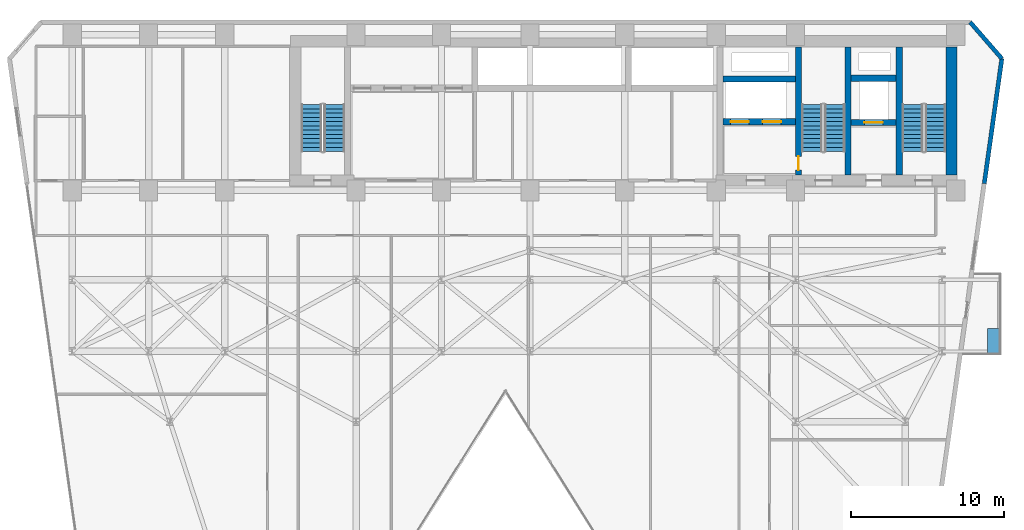
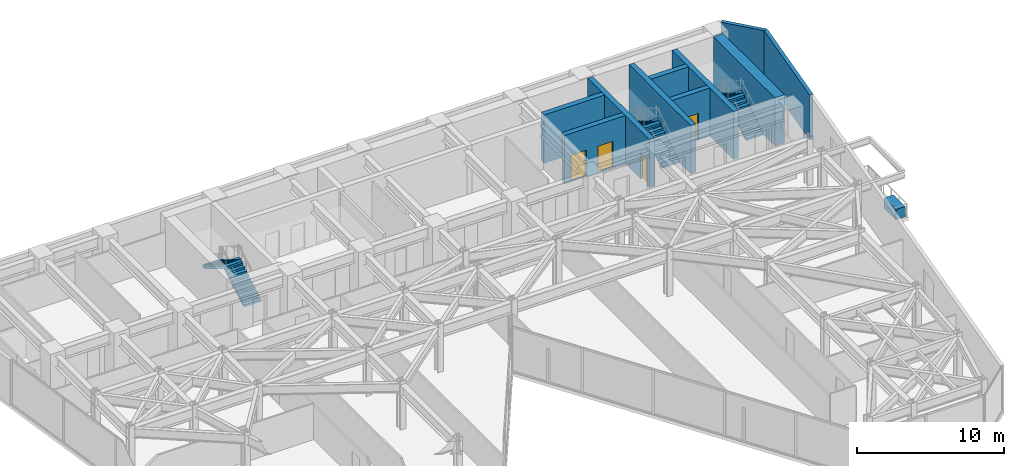
# One storey, part 21 of 24: 10 walls, 6 stair flights, 4 doors, 1 discrete accessory, 4 openings, 3 elements without a shape of their own.
"""IFC4 building model written with IfcOpenShell, lengths in metres."""

from ifc_helpers import new_model, si_unit, direction, frame, frame_2d, origin, origin_2d, place, context, subcontext, project, spatial, polyline, rectangle, outline, extrude, material, layer, layer_set, type_object, element, fill, aggregate, save


model = new_model("IFC4")

# Units and contexts
model_context = context("Model", 3, precision=1e-05, world=origin(), true_north=direction((0.0, 1.0)))
body_context = subcontext(model_context, "Body", "Model", "MODEL_VIEW")
ifc_project = project(units=[si_unit("LENGTHUNIT", "METRE"), si_unit("AREAUNIT", "SQUARE_METRE"), si_unit("VOLUMEUNIT", "CUBIC_METRE"), si_unit("PLANEANGLEUNIT", "RADIAN"), si_unit("MASSUNIT", "GRAM", prefix="KILO")], contexts=[model_context])

# Site, building, storey
site_placement = place(None, origin())
site = spatial("IfcSite", under=ifc_project, at=site_placement, CompositionType="ELEMENT")
building_placement = place(site_placement, origin())
building = spatial("IfcBuilding", under=site, at=building_placement, Name="Kravanh Interchange Tower", CompositionType="ELEMENT")
storey_placement = place(building_placement, frame((0.0, 0.0, 69.5)))
storey = spatial("IfcBuildingStorey", under=building, at=storey_placement, Name="L16", CompositionType="ELEMENT", Elevation=69.5)

# Walls
ifc_material_1 = material(Name="Concrete C80/95", Category="concrete")
ifc_layer_1 = layer(ifc_material_1, 0.39990234375)
ifc_layer_set_1 = layer_set([ifc_layer_1], Name="Core Shear Wall Concrete C80/95 400mm")
wall_type_1 = type_object("IfcWallType", Name="Core Shear Wall Concrete C80/95 400mm", PredefinedType="SHEAR", material=ifc_layer_set_1)
for number, where, z_axis, x_axis, name in (
    (1, (62.800048828125, 38.375, 0.0), (0.0, 0.0, 1.0), (0.0, 1.0, 0.0), "L16 Stair ST1 West Shear Wall"),
    (2, (59.449951171875, 38.375, 0.0), (0.0, 0.0, 1.0), (0.0, 1.0, 0.0), "L16 Stair ST2 East Shear Wall"),
):
    element("IfcWall", number, at=place(storey_placement, frame(where, z_axis=z_axis, x_axis=x_axis)), inside=storey, type_object=wall_type_1, Name=name, PredefinedType="SHEAR", context=body_context, shape_type="SweptSolid", body=[
        extrude(rectangle(XDim=8.375, YDim=0.39990234375, at=frame_2d((4.1875, 0.0))), origin(), (0.0, 0.0, 1.0), 4.0),
    ])

# Wall, opening, door
wall_1_placement = place(storey_placement, frame((56.199951171875, 38.375, 0.0), z_axis=(0.0, 0.0, 1.0), x_axis=(0.0, 1.0, 0.0)))
wall_1 = element("IfcWall", 3, at=wall_1_placement, inside=storey, type_object=wall_type_1, Name="L16 Stair ST2 West Shear Wall", PredefinedType="SHEAR", context=body_context, shape_type="SweptSolid", body=[
    extrude(rectangle(XDim=8.375, YDim=0.39990234375, at=frame_2d((4.1875, 0.0))), origin(), (0.0, 0.0, 1.0), 4.0),
])
opening_1_placement = place(wall_1_placement, frame((0.304931640625, 0.0, 0.0)))
opening_1 = element("IfcOpeningElement", 4, at=opening_1_placement, cuts=wall_1, Name="Opening D-STAIR-90", PredefinedType="OPENING", context=body_context, shape_type="SweptSolid", body=[
    extrude(rectangle(XDim=0.89990234375, YDim=2.14990234375, at=frame_2d((0.449951171875, 1.074951171875))), frame((0.0, 0.2099609375, 0.0), z_axis=(0.0, -1.0, 0.0), x_axis=(1.0, 0.0, 0.0)), (0.0, 0.0, 1.0), 0.419921875),
])
ifc_material_2 = material(Name="Structural Steel S355", Category="steel")
door_type_1 = type_object("IfcDoorType", Name="Fire-Rated Stair Lobby Door 900x2150", OperationType="NOTDEFINED", PredefinedType="DOOR", material=ifc_material_2)
door_1_placement = place(opening_1_placement, origin())
door_1 = element("IfcDoor", 5, at=door_1_placement, inside=storey, type_object=door_type_1, Name="L16 Firefighting Lobby to Stair ST2 Door", OperationType="SINGLE_SWING_LEFT", OverallHeight=2.14990234375, OverallWidth=0.89990234375, PredefinedType="DOOR", context=body_context, shape_type="SweptSolid", body=[
    extrude(rectangle(XDim=0.89990234375, YDim=2.14990234375, at=frame_2d((0.449951171875, 1.074951171875))), frame((0.0, 0.02490234375, 0.0), z_axis=(0.0, -1.0, 0.0), x_axis=(1.0, 0.0, 0.0)), (0.0, 0.0, 1.0), 0.050048828125),
])
fill(opening_1, door_1)

wall_2_placement = place(storey_placement, frame((59.64990234375, 41.800048828125, 0.0), z_axis=(0.0, 0.0, 1.0), x_axis=(1.0, 0.0, 0.0)))
wall_2 = element("IfcWall", 6, at=wall_2_placement, inside=storey, type_object=wall_type_1, Name="L16 Service Lift Shaft South Wall", PredefinedType="SHEAR", context=body_context, shape_type="SweptSolid", body=[
    extrude(rectangle(XDim=2.9501953125, YDim=0.39990234375, at=frame_2d((1.47509765625, 0.0))), origin(), (0.0, 0.0, 1.0), 4.0),
])
opening_2_placement = place(wall_2_placement, frame((0.8701171875, 0.0, 0.0)))
opening_2 = element("IfcOpeningElement", 7, at=opening_2_placement, cuts=wall_2, Name="Opening LD02", PredefinedType="OPENING", context=body_context, shape_type="SweptSolid", body=[
    extrude(rectangle(XDim=1.199951171875, YDim=2.199951171875, at=frame_2d((0.60009765625, 1.10009765625))), frame((0.0, 0.2099609375, 0.0), z_axis=(0.0, -1.0, 0.0), x_axis=(1.0, 0.0, 0.0)), (0.0, 0.0, 1.0), 0.419921875),
])
ifc_material_3 = material(Name="Stainless Steel 316", Category="steel")
door_type_2 = type_object("IfcDoorType", Name="Fire and Service Lift Sliding Landing Door 1200x2200", OperationType="DOUBLE_DOOR_SLIDING", PredefinedType="DOOR", material=ifc_material_3)
door_2_placement = place(opening_2_placement, origin())
door_2 = element("IfcDoor", 8, at=door_2_placement, inside=storey, type_object=door_type_2, Name="L16 Lift LS-01 Landing Door", OperationType="DOUBLE_DOOR_SLIDING", OverallHeight=2.199951171875, OverallWidth=1.199951171875, PredefinedType="DOOR", context=body_context, shape_type="SweptSolid", body=[
    extrude(rectangle(XDim=1.199951171875, YDim=2.199951171875, at=frame_2d((0.60009765625, 1.10009765625))), frame((0.0, 0.02490234375, 0.0), z_axis=(0.0, -1.0, 0.0), x_axis=(1.0, 0.0, 0.0)), (0.0, 0.0, 1.0), 0.050048828125),
])
fill(opening_2, door_2)

# Wall
wall_3_placement = place(storey_placement, frame((59.64990234375, 44.699951171875, 0.0), z_axis=(0.0, 0.0, 1.0), x_axis=(1.0, 0.0, 0.0)))
element("IfcWall", 9, at=wall_3_placement, inside=storey, type_object=wall_type_1, Name="L16 Service Lift Shaft North Wall", PredefinedType="SHEAR", context=body_context, shape_type="SweptSolid", body=[
    extrude(rectangle(XDim=2.9501953125, YDim=0.39990234375, at=frame_2d((1.47509765625, 0.0))), origin(), (0.0, 0.0, 1.0), 4.0),
])

# Wall, openings, doors
wall_4_placement = place(storey_placement, frame((51.25, 41.85009765625, 0.0), z_axis=(0.0, 0.0, 1.0), x_axis=(1.0, 0.0, 0.0)))
wall_4 = element("IfcWall", 10, at=wall_4_placement, inside=storey, type_object=wall_type_1, Name="L16 Fire Lift Shaft South Wall", PredefinedType="SHEAR", context=body_context, shape_type="SweptSolid", body=[
    extrude(rectangle(XDim=4.75, YDim=0.39990234375, at=frame_2d((2.375, 0.0))), origin(), (0.0, 0.0, 1.0), 4.0),
])
opening_3_placement = place(wall_4_placement, frame((0.5, 0.0, 0.0)))
opening_3 = element("IfcOpeningElement", 11, at=opening_3_placement, cuts=wall_4, Name="Opening LD02", PredefinedType="OPENING", context=body_context, shape_type="SweptSolid", body=[
    extrude(rectangle(XDim=1.199951171875, YDim=2.199951171875, at=frame_2d((0.60009765625, 1.10009765625))), frame((0.0, 0.2099609375, 0.0), z_axis=(0.0, -1.0, 0.0), x_axis=(1.0, 0.0, 0.0)), (0.0, 0.0, 1.0), 0.419921875),
])
opening_4_placement = place(wall_4_placement, frame((2.60009765625, 0.0, 0.0)))
opening_4 = element("IfcOpeningElement", 12, at=opening_4_placement, cuts=wall_4, Name="Opening LD02", PredefinedType="OPENING", context=body_context, shape_type="SweptSolid", body=[
    extrude(rectangle(XDim=1.199951171875, YDim=2.199951171875, at=frame_2d((0.60009765625, 1.10009765625))), frame((0.0, 0.2099609375, 0.0), z_axis=(0.0, -1.0, 0.0), x_axis=(1.0, 0.0, 0.0)), (0.0, 0.0, 1.0), 0.419921875),
])
door_3_placement = place(opening_3_placement, origin())
door_3 = element("IfcDoor", 13, at=door_3_placement, inside=storey, type_object=door_type_2, Name="L16 Lift FSAE-01 Landing Door", OperationType="DOUBLE_DOOR_SLIDING", OverallHeight=2.199951171875, OverallWidth=1.199951171875, PredefinedType="DOOR", context=body_context, shape_type="SweptSolid", body=[
    extrude(rectangle(XDim=1.199951171875, YDim=2.199951171875, at=frame_2d((0.60009765625, 1.10009765625))), frame((0.0, 0.02490234375, 0.0), z_axis=(0.0, -1.0, 0.0), x_axis=(1.0, 0.0, 0.0)), (0.0, 0.0, 1.0), 0.050048828125),
])
fill(opening_3, door_3)
door_4_placement = place(opening_4_placement, origin())
door_4 = element("IfcDoor", 14, at=door_4_placement, inside=storey, type_object=door_type_2, Name="L16 Lift FSAE-02 Landing Door", OperationType="DOUBLE_DOOR_SLIDING", OverallHeight=2.199951171875, OverallWidth=1.199951171875, PredefinedType="DOOR", context=body_context, shape_type="SweptSolid", body=[
    extrude(rectangle(XDim=1.199951171875, YDim=2.199951171875, at=frame_2d((0.60009765625, 1.10009765625))), frame((0.0, 0.02490234375, 0.0), z_axis=(0.0, -1.0, 0.0), x_axis=(1.0, 0.0, 0.0)), (0.0, 0.0, 1.0), 0.050048828125),
])
fill(opening_4, door_4)

# Walls
wall_5_placement = place(storey_placement, frame((51.25, 44.64990234375, 0.0), z_axis=(0.0, 0.0, 1.0), x_axis=(1.0, 0.0, 0.0)))
element("IfcWall", 15, at=wall_5_placement, inside=storey, type_object=wall_type_1, Name="L16 Fire Lift Shaft North Wall", PredefinedType="SHEAR", context=body_context, shape_type="SweptSolid", body=[
    extrude(rectangle(XDim=4.75, YDim=0.39990234375, at=frame_2d((2.375, 0.0))), origin(), (0.0, 0.0, 1.0), 4.0),
])
ifc_material_4 = material(Name="Concrete C80/95", Category="concrete")
ifc_layer_2 = layer(ifc_material_4, 0.75)
ifc_layer_set_2 = layer_set([ifc_layer_2], Name="Core Shear Wall Concrete C80/95 750mm")
wall_type_2 = type_object("IfcWallType", Name="Core Shear Wall Concrete C80/95 750mm", PredefinedType="SHEAR", material=ifc_layer_set_2)
wall_6_placement = place(storey_placement, frame((66.22509765625, 38.375, 0.0), z_axis=(0.0, 0.0, 1.0), x_axis=(0.0, 1.0, 0.0)))
element("IfcWall", 16, at=wall_6_placement, inside=storey, type_object=wall_type_2, Name="L16 Stair ST1 East Shear Wall", PredefinedType="SHEAR", context=body_context, shape_type="SweptSolid", body=[
    extrude(rectangle(XDim=8.375, YDim=0.75, at=frame_2d((4.1875, 0.0))), origin(), (0.0, 0.0, 1.0), 4.0),
])
ifc_material_5 = material(Name="Insulated Precast Concrete C40/50 with Bronze Cladding", Category="concrete")
ifc_layer_3 = layer(ifc_material_5, 0.280029296875)
ifc_layer_set_3 = layer_set([ifc_layer_3], Name="Exterior Insulated Concrete C40/50 Bronze Spandrel Wall 280mm")
wall_type_3 = type_object("IfcWallType", Name="Exterior Insulated Concrete C40/50 Bronze Spandrel Wall 280mm", PredefinedType="STANDARD", material=ifc_layer_set_3)
wall_7_placement = place(storey_placement, frame((67.4453125, 48.3798828125, 0.0), z_axis=(0.0, 0.0, 1.0), x_axis=(0.656070053895, -0.754699996278, 0.0)))
element("IfcWall", 17, at=wall_7_placement, inside=storey, type_object=wall_type_3, Name="L16 Exterior Wall 4", PredefinedType="STANDARD", context=body_context, shape_type="SweptSolid", body=[
    extrude(rectangle(XDim=3.1708984375, YDim=0.280029296875, at=frame_2d((1.58544921875, 0.0))), origin(), (0.0, 0.0, 1.0), 3.739990234375),
])
wall_8_placement = place(storey_placement, frame((69.525634765625, 45.98681640625, 0.0), z_axis=(0.0, 0.0, 1.0), x_axis=(-0.139180172484, -0.990267074878, 0.0)))
element("IfcWall", 18, at=wall_8_placement, inside=storey, type_object=wall_type_3, Name="L16 Exterior Wall 5", PredefinedType="STANDARD", context=body_context, shape_type="SweptSolid", body=[
    extrude(rectangle(XDim=8.267333984375, YDim=0.280029296875, at=frame_2d((4.1337890625, 0.0))), origin(), (0.0, 0.0, 1.0), 3.739990234375),
])

# Stair, stair flights
ifc_material_6 = material(Name="Concrete C50/60", Category="concrete")
stair_type = type_object("IfcStairType", Name="Core Fire Exit Dogleg Stair Concrete C50/60", PredefinedType="HALF_TURN_STAIR", material=ifc_material_6)
stair_1_placement = place(storey_placement, origin())
stair_1 = element("IfcStair", 19, at=stair_1_placement, inside=storey, type_object=stair_type, Name="L16 Exit Stair ST1", PredefinedType="HALF_TURN_STAIR")
ifc_material_7 = material(Name="Precast Concrete C50/60", Category="concrete")
ifc_layer_4 = layer(ifc_material_7, 0.199951171875)
ifc_layer_set_4 = layer_set([ifc_layer_4], Name="Precast Concrete C50/60 Stair Flight 1350mm")
stair_flight_type = type_object("IfcStairFlightType", Name="Precast Concrete C50/60 Stair Flight 1350mm", PredefinedType="STRAIGHT", material=ifc_layer_set_4)
stair_flight_1_placement = place(storey_placement, frame((65.175048828125, 39.89990234375, 0.0), z_axis=(0.0, 0.0, 1.0), x_axis=(0.0, 1.0, 0.0)))
stair_flight_1 = element("IfcStairFlight", 20, at=stair_flight_1_placement, type_object=stair_flight_type, Name="ST1 flight 1", NumberOfRisers=12, NumberOfTreads=11, PredefinedType="STRAIGHT", RiserHeight=0.166666667, TreadLength=0.28, context=body_context, shape_type="SweptSolid", body=[
    extrude(outline(polyline([(0.0, 0.0), (0.0, 0.166748046875), (0.280029296875, 0.166748046875), (0.280029296875, 0.333251953125), (0.56005859375, 0.333251953125), (0.56005859375, 0.5), (0.840087890625, 0.5), (0.840087890625, 0.666748046875), (1.1201171875, 0.666748046875), (1.1201171875, 0.833251953125), (1.39990234375, 0.833251953125), (1.39990234375, 1.0), (1.679931640625, 1.0), (1.679931640625, 1.166748046875), (1.9599609375, 1.166748046875), (1.9599609375, 1.333251953125), (2.239990234375, 1.333251953125), (2.239990234375, 1.5), (2.52001953125, 1.5), (2.52001953125, 1.666748046875), (2.800048828125, 1.666748046875), (2.800048828125, 1.833251953125), (3.080078125, 1.833251953125), (3.080078125, 2.0), (3.080078125, 1.658935546875), (0.29296875, 0.0), (0.0, 0.0)])), frame((0.0, 0.675048828125, 0.0), z_axis=(0.0, -1.0, 0.0), x_axis=(1.0, 0.0, 0.0)), (0.0, 0.0, 1.0), 1.35009765625),
])
stair_flight_2_placement = place(storey_placement, frame((63.675048828125, 42.97998046875, 2.0), z_axis=(0.0, 0.0, 1.0), x_axis=(0.0, -1.0, 0.0)))
stair_flight_2 = element("IfcStairFlight", 21, at=stair_flight_2_placement, type_object=stair_flight_type, Name="ST1 flight 2", NumberOfRisers=12, NumberOfTreads=11, PredefinedType="STRAIGHT", RiserHeight=0.166666667, TreadLength=0.28, context=body_context, shape_type="SweptSolid", body=[
    extrude(outline(polyline([(0.0, 0.0), (0.0, 0.166748046875), (0.280029296875, 0.166748046875), (0.280029296875, 0.333251953125), (0.56005859375, 0.333251953125), (0.56005859375, 0.5), (0.840087890625, 0.5), (0.840087890625, 0.666748046875), (1.1201171875, 0.666748046875), (1.1201171875, 0.833251953125), (1.39990234375, 0.833251953125), (1.39990234375, 1.0), (1.679931640625, 1.0), (1.679931640625, 1.166748046875), (1.9599609375, 1.166748046875), (1.9599609375, 1.333251953125), (2.239990234375, 1.333251953125), (2.239990234375, 1.5), (2.52001953125, 1.5), (2.52001953125, 1.666748046875), (2.800048828125, 1.666748046875), (2.800048828125, 1.833251953125), (3.080078125, 1.833251953125), (3.080078125, 2.0), (3.080078125, 1.658935546875), (0.29296875, 0.0), (0.0, 0.0)])), frame((0.0, 0.675048828125, 0.0), z_axis=(0.0, -1.0, 0.0), x_axis=(1.0, 0.0, 0.0)), (0.0, 0.0, 1.0), 1.35009765625),
])
aggregate(stair_1, [stair_flight_1, stair_flight_2])

stair_2_placement = place(storey_placement, origin())
stair_2 = element("IfcStair", 22, at=stair_2_placement, inside=storey, type_object=stair_type, Name="L16 Exit Stair ST2", PredefinedType="HALF_TURN_STAIR")
stair_flight_3_placement = place(storey_placement, frame((58.574951171875, 39.89990234375, 0.0), z_axis=(0.0, 0.0, 1.0), x_axis=(0.0, 1.0, 0.0)))
stair_flight_3 = element("IfcStairFlight", 23, at=stair_flight_3_placement, type_object=stair_flight_type, Name="ST2 flight 1", NumberOfRisers=12, NumberOfTreads=11, PredefinedType="STRAIGHT", RiserHeight=0.166666667, TreadLength=0.28, context=body_context, shape_type="SweptSolid", body=[
    extrude(outline(polyline([(0.0, 0.0), (0.0, 0.166748046875), (0.280029296875, 0.166748046875), (0.280029296875, 0.333251953125), (0.56005859375, 0.333251953125), (0.56005859375, 0.5), (0.840087890625, 0.5), (0.840087890625, 0.666748046875), (1.1201171875, 0.666748046875), (1.1201171875, 0.833251953125), (1.39990234375, 0.833251953125), (1.39990234375, 1.0), (1.679931640625, 1.0), (1.679931640625, 1.166748046875), (1.9599609375, 1.166748046875), (1.9599609375, 1.333251953125), (2.239990234375, 1.333251953125), (2.239990234375, 1.5), (2.52001953125, 1.5), (2.52001953125, 1.666748046875), (2.800048828125, 1.666748046875), (2.800048828125, 1.833251953125), (3.080078125, 1.833251953125), (3.080078125, 2.0), (3.080078125, 1.658935546875), (0.29296875, 0.0), (0.0, 0.0)])), frame((0.0, 0.675048828125, 0.0), z_axis=(0.0, -1.0, 0.0), x_axis=(1.0, 0.0, 0.0)), (0.0, 0.0, 1.0), 1.35009765625),
])
stair_flight_4_placement = place(storey_placement, frame((57.074951171875, 42.97998046875, 2.0), z_axis=(0.0, 0.0, 1.0), x_axis=(0.0, -1.0, 0.0)))
stair_flight_4 = element("IfcStairFlight", 24, at=stair_flight_4_placement, type_object=stair_flight_type, Name="ST2 flight 2", NumberOfRisers=12, NumberOfTreads=11, PredefinedType="STRAIGHT", RiserHeight=0.166666667, TreadLength=0.28, context=body_context, shape_type="SweptSolid", body=[
    extrude(outline(polyline([(0.0, 0.0), (0.0, 0.166748046875), (0.280029296875, 0.166748046875), (0.280029296875, 0.333251953125), (0.56005859375, 0.333251953125), (0.56005859375, 0.5), (0.840087890625, 0.5), (0.840087890625, 0.666748046875), (1.1201171875, 0.666748046875), (1.1201171875, 0.833251953125), (1.39990234375, 0.833251953125), (1.39990234375, 1.0), (1.679931640625, 1.0), (1.679931640625, 1.166748046875), (1.9599609375, 1.166748046875), (1.9599609375, 1.333251953125), (2.239990234375, 1.333251953125), (2.239990234375, 1.5), (2.52001953125, 1.5), (2.52001953125, 1.666748046875), (2.800048828125, 1.666748046875), (2.800048828125, 1.833251953125), (3.080078125, 1.833251953125), (3.080078125, 2.0), (3.080078125, 1.658935546875), (0.29296875, 0.0), (0.0, 0.0)])), frame((0.0, 0.675048828125, 0.0), z_axis=(0.0, -1.0, 0.0), x_axis=(1.0, 0.0, 0.0)), (0.0, 0.0, 1.0), 1.35009765625),
])
aggregate(stair_2, [stair_flight_3, stair_flight_4])

stair_3_placement = place(storey_placement, origin())
stair_3 = element("IfcStair", 25, at=stair_3_placement, inside=storey, type_object=stair_type, Name="L16 Exit Stair ST3", PredefinedType="HALF_TURN_STAIR")
stair_flight_5_placement = place(storey_placement, frame((25.77490234375, 39.89990234375, 0.0), z_axis=(0.0, 0.0, 1.0), x_axis=(0.0, 1.0, 0.0)))
stair_flight_5 = element("IfcStairFlight", 26, at=stair_flight_5_placement, type_object=stair_flight_type, Name="ST3 flight 1", NumberOfRisers=12, NumberOfTreads=11, PredefinedType="STRAIGHT", RiserHeight=0.166666667, TreadLength=0.28, context=body_context, shape_type="SweptSolid", body=[
    extrude(outline(polyline([(0.0, 0.0), (0.0, 0.166748046875), (0.280029296875, 0.166748046875), (0.280029296875, 0.333251953125), (0.56005859375, 0.333251953125), (0.56005859375, 0.5), (0.840087890625, 0.5), (0.840087890625, 0.666748046875), (1.1201171875, 0.666748046875), (1.1201171875, 0.833251953125), (1.39990234375, 0.833251953125), (1.39990234375, 1.0), (1.679931640625, 1.0), (1.679931640625, 1.166748046875), (1.9599609375, 1.166748046875), (1.9599609375, 1.333251953125), (2.239990234375, 1.333251953125), (2.239990234375, 1.5), (2.52001953125, 1.5), (2.52001953125, 1.666748046875), (2.800048828125, 1.666748046875), (2.800048828125, 1.833251953125), (3.080078125, 1.833251953125), (3.080078125, 2.0), (3.080078125, 1.658935546875), (0.29296875, 0.0), (0.0, 0.0)])), frame((0.0, 0.675048828125, 0.0), z_axis=(0.0, -1.0, 0.0), x_axis=(1.0, 0.0, 0.0)), (0.0, 0.0, 1.0), 1.35009765625),
])
stair_flight_6_placement = place(storey_placement, frame((24.27490234375, 42.97998046875, 2.0), z_axis=(0.0, 0.0, 1.0), x_axis=(0.0, -1.0, 0.0)))
stair_flight_6 = element("IfcStairFlight", 27, at=stair_flight_6_placement, type_object=stair_flight_type, Name="ST3 flight 2", NumberOfRisers=12, NumberOfTreads=11, PredefinedType="STRAIGHT", RiserHeight=0.166666667, TreadLength=0.28, context=body_context, shape_type="SweptSolid", body=[
    extrude(outline(polyline([(0.0, 0.0), (0.0, 0.166748046875), (0.280029296875, 0.166748046875), (0.280029296875, 0.333251953125), (0.56005859375, 0.333251953125), (0.56005859375, 0.5), (0.840087890625, 0.5), (0.840087890625, 0.666748046875), (1.1201171875, 0.666748046875), (1.1201171875, 0.833251953125), (1.39990234375, 0.833251953125), (1.39990234375, 1.0), (1.679931640625, 1.0), (1.679931640625, 1.166748046875), (1.9599609375, 1.166748046875), (1.9599609375, 1.333251953125), (2.239990234375, 1.333251953125), (2.239990234375, 1.5), (2.52001953125, 1.5), (2.52001953125, 1.666748046875), (2.800048828125, 1.666748046875), (2.800048828125, 1.833251953125), (3.080078125, 1.833251953125), (3.080078125, 2.0), (3.080078125, 1.658935546875), (0.29296875, 0.0), (0.0, 0.0)])), frame((0.0, 0.675048828125, 0.0), z_axis=(0.0, -1.0, 0.0), x_axis=(1.0, 0.0, 0.0)), (0.0, 0.0, 1.0), 1.35009765625),
])
aggregate(stair_3, [stair_flight_5, stair_flight_6])

# Discrete accessory
ifc_material_8 = material(Name="Architectural GRC Concrete C40/50 with Root Barrier", Category="concrete")
discrete_accessory_type = type_object("IfcDiscreteAccessoryType", Name="Structural Balcony Tree Planter Box Concrete C40/50 1600x750x850", PredefinedType="USERDEFINED", material=ifc_material_8)
discrete_accessory_placement = place(storey_placement, frame((68.969970703125, 27.5, 0.0), z_axis=(0.0, 0.0, 1.0), x_axis=(1.0, 0.0, 0.0)))
element("IfcDiscreteAccessory", 28, at=discrete_accessory_placement, inside=storey, type_object=discrete_accessory_type, Name="L16 E Balcony TREE PLANTER", ObjectType="PLANTER", PredefinedType="USERDEFINED", context=body_context, shape_type="SweptSolid", body=[
    extrude(rectangle(XDim=0.75, YDim=1.60009765625, at=origin_2d()), origin(), (0.0, 0.0, 1.0), 0.85009765625),
])

save(model, "model.ifc")
